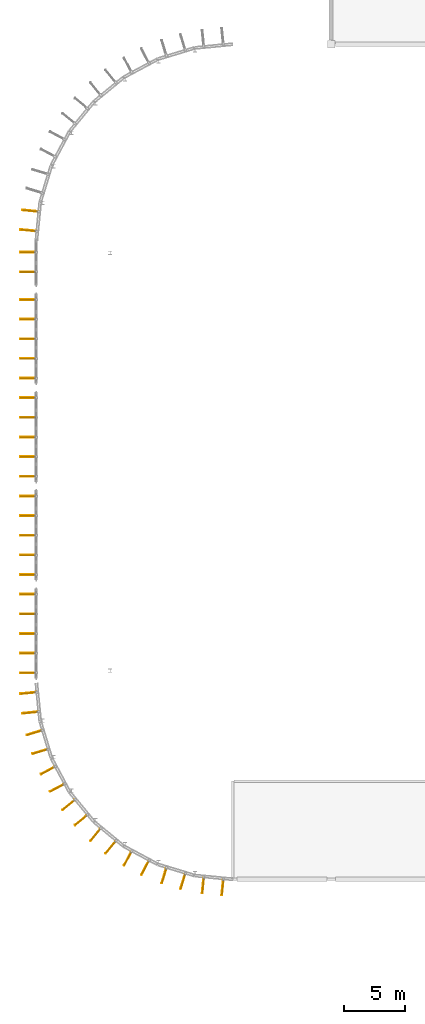
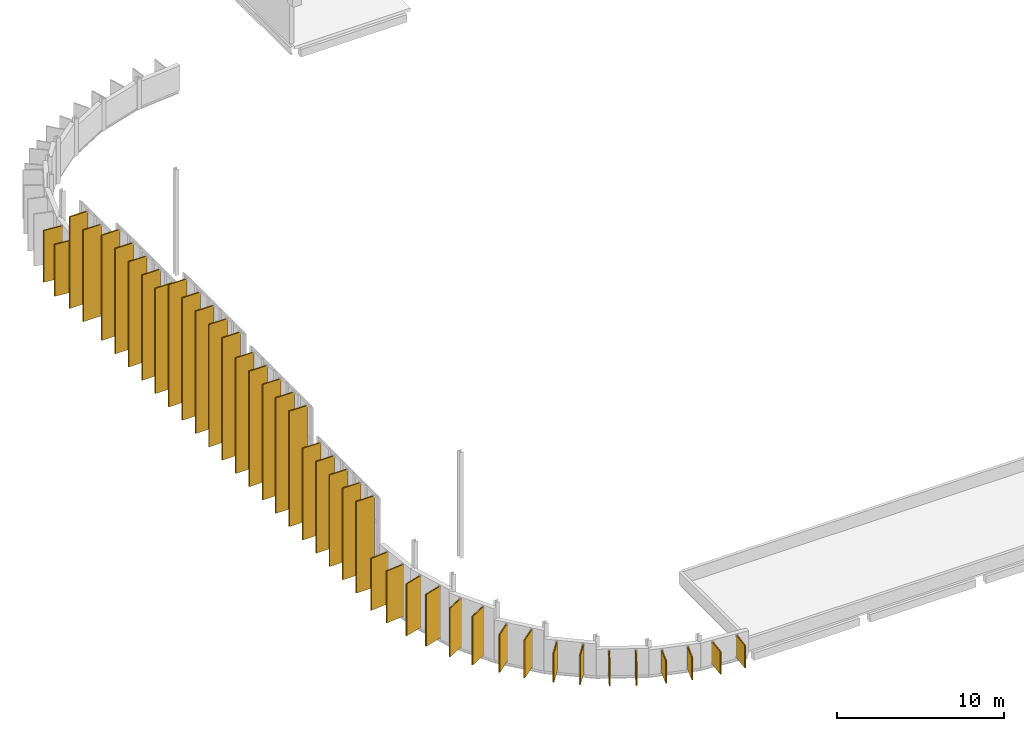
# One storey, part 34 of 38: 40 coverings, 40 shading devices.
"""IFC4 building model written with IfcOpenShell, lengths in metres."""

from ifc_helpers import new_model, si_unit, direction, frame, origin, origin_2d, place, context, subcontext, project, spatial, rectangle, extrude, material, type_object, element, save


model = new_model("IFC4")

# Units and contexts
model_context = context("Model", 3, precision=1e-05, world=origin(), true_north=direction((0.0, 1.0)))
body_context = subcontext(model_context, "Body", "Model", "MODEL_VIEW")
ifc_project = project(units=[si_unit("LENGTHUNIT", "METRE"), si_unit("AREAUNIT", "SQUARE_METRE"), si_unit("VOLUMEUNIT", "CUBIC_METRE"), si_unit("PLANEANGLEUNIT", "RADIAN"), si_unit("MASSUNIT", "GRAM", prefix="KILO")], contexts=[model_context])

# Site, building, storey
site_placement = place(None, origin())
site = spatial("IfcSite", under=ifc_project, at=site_placement, CompositionType="ELEMENT")
building_placement = place(site_placement, origin())
building = spatial("IfcBuilding", under=site, at=building_placement, Name="Drelvana Railside Aquatics Centre", CompositionType="ELEMENT")
storey_placement = place(building_placement, frame((0.0, 0.0, 14.39990234375)))
storey = spatial("IfcBuildingStorey", under=building, at=storey_placement, Name="L03", CompositionType="ELEMENT", Elevation=14.39990234375)

# Coverings
ifc_material = material(Name="Bronze-anodised extruded aluminium 6063-T6", Category="aluminium")
covering_type = type_object("IfcCoveringType", Name="COV-FIN-ALU", PredefinedType="CLADDING", material=ifc_material)
for number, where, z_axis, x_axis, name in (
    (1, (-0.68994140625, 32.800048828125, 0.05029296875), (0.0, 0.0, 1.0), (0.0, 1.0, 0.0), "Vertical aluminium fin cladding CF-0200"),
    (2, (-0.68994140625, 34.39990234375, 0.05029296875), (0.0, 0.0, 1.0), (0.0, 1.0, 0.0), "Vertical aluminium fin cladding CF-0201"),
    (3, (-0.68994140625, 36.0, 0.05029296875), (0.0, 0.0, 1.0), (0.0, 1.0, 0.0), "Vertical aluminium fin cladding CF-0202"),
    (4, (-0.68994140625, 37.60009765625, 0.05029296875), (0.0, 0.0, 1.0), (0.0, 1.0, 0.0), "Vertical aluminium fin cladding CF-0203"),
    (5, (-0.68994140625, 39.199951171875, 0.05029296875), (0.0, 0.0, 1.0), (0.0, 1.0, 0.0), "Vertical aluminium fin cladding CF-0204"),
):
    element("IfcCovering", number, at=place(storey_placement, frame(where, z_axis=z_axis, x_axis=x_axis)), inside=storey, type_object=covering_type, Name=name, PredefinedType="CLADDING", context=body_context, shape_type="SweptSolid", body=[
        extrude(rectangle(XDim=0.0849609375, YDim=1.25, at=origin_2d()), origin(), (0.0, 0.0, 1.0), 6.677978515625),
    ])
for number, where, z_axis, x_axis, name in (
    (6, (-0.68994140625, 40.800048828125, 0.050048828125), (0.0, 0.0, 1.0), (0.0, 1.0, 0.0), "Vertical aluminium fin cladding CF-0220"),
    (7, (-0.68994140625, 42.39990234375, 0.050048828125), (0.0, 0.0, 1.0), (0.0, 1.0, 0.0), "Vertical aluminium fin cladding CF-0221"),
    (8, (-0.68994140625, 44.0, 0.050048828125), (0.0, 0.0, 1.0), (0.0, 1.0, 0.0), "Vertical aluminium fin cladding CF-0222"),
    (9, (-0.68994140625, 45.60009765625, 0.050048828125), (0.0, 0.0, 1.0), (0.0, 1.0, 0.0), "Vertical aluminium fin cladding CF-0223"),
    (10, (-0.68994140625, 47.199951171875, 0.050048828125), (0.0, 0.0, 1.0), (0.0, 1.0, 0.0), "Vertical aluminium fin cladding CF-0224"),
):
    element("IfcCovering", number, at=place(storey_placement, frame(where, z_axis=z_axis, x_axis=x_axis)), inside=storey, type_object=covering_type, Name=name, PredefinedType="CLADDING", context=body_context, shape_type="SweptSolid", body=[
        extrude(rectangle(XDim=0.0849609375, YDim=1.25, at=origin_2d()), origin(), (0.0, 0.0, 1.0), 8.4208984375),
    ])
for number, where, z_axis, x_axis, name in (
    (11, (-0.68994140625, 48.800048828125, 0.050048828125), (0.0, 0.0, 1.0), (0.0, 1.0, 0.0), "Vertical aluminium fin cladding CF-0240"),
    (12, (-0.68994140625, 50.39990234375, 0.050048828125), (0.0, 0.0, 1.0), (0.0, 1.0, 0.0), "Vertical aluminium fin cladding CF-0241"),
    (13, (-0.68994140625, 52.0, 0.050048828125), (0.0, 0.0, 1.0), (0.0, 1.0, 0.0), "Vertical aluminium fin cladding CF-0242"),
    (14, (-0.68994140625, 53.60009765625, 0.050048828125), (0.0, 0.0, 1.0), (0.0, 1.0, 0.0), "Vertical aluminium fin cladding CF-0243"),
    (15, (-0.68994140625, 55.199951171875, 0.050048828125), (0.0, 0.0, 1.0), (0.0, 1.0, 0.0), "Vertical aluminium fin cladding CF-0244"),
):
    element("IfcCovering", number, at=place(storey_placement, frame(where, z_axis=z_axis, x_axis=x_axis)), inside=storey, type_object=covering_type, Name=name, PredefinedType="CLADDING", context=body_context, shape_type="SweptSolid", body=[
        extrude(rectangle(XDim=0.0849609375, YDim=1.25, at=origin_2d()), origin(), (0.0, 0.0, 1.0), 8.919921875),
    ])
for number, where, z_axis, x_axis, name in (
    (16, (-0.68994140625, 56.800048828125, 0.05029296875), (0.0, 0.0, 1.0), (0.0, 1.0, 0.0), "Vertical aluminium fin cladding CF-0260"),
    (17, (-0.68994140625, 58.39990234375, 0.05029296875), (0.0, 0.0, 1.0), (0.0, 1.0, 0.0), "Vertical aluminium fin cladding CF-0261"),
    (18, (-0.68994140625, 60.0, 0.05029296875), (0.0, 0.0, 1.0), (0.0, 1.0, 0.0), "Vertical aluminium fin cladding CF-0262"),
    (19, (-0.68994140625, 61.60009765625, 0.05029296875), (0.0, 0.0, 1.0), (0.0, 1.0, 0.0), "Vertical aluminium fin cladding CF-0263"),
    (20, (-0.68994140625, 63.199951171875, 0.05029296875), (0.0, 0.0, 1.0), (0.0, 1.0, 0.0), "Vertical aluminium fin cladding CF-0264"),
):
    element("IfcCovering", number, at=place(storey_placement, frame(where, z_axis=z_axis, x_axis=x_axis)), inside=storey, type_object=covering_type, Name=name, PredefinedType="CLADDING", context=body_context, shape_type="SweptSolid", body=[
        extrude(rectangle(XDim=0.0849609375, YDim=1.25, at=origin_2d()), origin(), (0.0, 0.0, 1.0), 7.674072265625),
    ])
for number, where, z_axis, x_axis, name in (
    (21, (-0.68994140625, 65.449951171875, 0.05029296875), (0.0, 0.0, 1.0), (0.0, 1.0, 0.0), "Vertical aluminium fin cladding CF-0271"),
    (22, (-0.68994140625, 67.050048828125, 0.05029296875), (0.0, 0.0, 1.0), (0.0, 1.0, 0.0), "Vertical aluminium fin cladding CF-0272"),
):
    element("IfcCovering", number, at=place(storey_placement, frame(where, z_axis=z_axis, x_axis=x_axis)), inside=storey, type_object=covering_type, Name=name, PredefinedType="CLADDING", context=body_context, shape_type="SweptSolid", body=[
        extrude(rectangle(XDim=0.0849609375, YDim=1.25, at=origin_2d()), origin(), (0.0, 0.0, 1.0), 6.677978515625),
    ])
for number, where, z_axis, x_axis, name in (
    (23, (-0.65625, 31.163330078125, -0.19970703125), (0.0, 0.0, 1.0), (-0.09801714033, 0.995184726672, 0.0), "Vertical aluminium fin cladding CF-0279"),
    (24, (-0.499267578125, 29.571044921875, -0.19970703125), (0.0, 0.0, 1.0), (-0.09801714033, 0.995184726672, 0.0), "Vertical aluminium fin cladding CF-0280"),
    (25, (-0.1728515625, 27.929931640625, -0.19970703125), (0.0, 0.0, 1.0), (-0.290284677254, 0.956940335732, 0.0), "Vertical aluminium fin cladding CF-0287"),
    (26, (0.29150390625, 26.39892578125, -0.19970703125), (0.0, 0.0, 1.0), (-0.290284677254, 0.956940335732, 0.0), "Vertical aluminium fin cladding CF-0288"),
):
    element("IfcCovering", number, at=place(storey_placement, frame(where, z_axis=z_axis, x_axis=x_axis)), inside=storey, type_object=covering_type, Name=name, PredefinedType="CLADDING", context=body_context, shape_type="SweptSolid", body=[
        extrude(rectangle(XDim=0.0849609375, YDim=1.25, at=origin_2d()), origin(), (0.0, 0.0, 1.0), 3.780029296875),
    ])
for number, where, z_axis, x_axis, name in (
    (27, (0.931884765625, 24.85302734375, -0.199951171875), (0.0, 0.0, 1.0), (-0.471396736826, 0.881921264348, 0.0), "Vertical aluminium fin cladding CF-0295"),
    (28, (1.68603515625, 23.44189453125, -0.199951171875), (0.0, 0.0, 1.0), (-0.471396736826, 0.881921264348, 0.0), "Vertical aluminium fin cladding CF-0296"),
):
    element("IfcCovering", number, at=place(storey_placement, frame(where, z_axis=z_axis, x_axis=x_axis)), inside=storey, type_object=covering_type, Name=name, PredefinedType="CLADDING", context=body_context, shape_type="SweptSolid", body=[
        extrude(rectangle(XDim=0.0849609375, YDim=1.25, at=origin_2d()), origin(), (0.0, 0.0, 1.0), 3.5439453125),
    ])
for number, where, z_axis, x_axis, name in (
    (29, (2.61572265625, 22.05078125, -0.19970703125), (0.0, 0.0, 1.0), (-0.634393284164, 0.773010453363, 0.0), "Vertical aluminium fin cladding CF-0303"),
    (30, (3.630615234375, 20.81396484375, -0.19970703125), (0.0, 0.0, 1.0), (-0.634393284164, 0.773010453363, 0.0), "Vertical aluminium fin cladding CF-0304"),
):
    element("IfcCovering", number, at=place(storey_placement, frame(where, z_axis=z_axis, x_axis=x_axis)), inside=storey, type_object=covering_type, Name=name, PredefinedType="CLADDING", context=body_context, shape_type="SweptSolid", body=[
        extrude(rectangle(XDim=0.0849609375, YDim=1.25, at=origin_2d()), origin(), (0.0, 0.0, 1.0), 2.759033203125),
    ])
for number, where, z_axis, x_axis, name in (
    (31, (4.81396484375, 19.630615234375, -0.19970703125), (0.0, 0.0, 1.0), (-0.773010453363, 0.634393284164, 0.0), "Vertical aluminium fin cladding CF-0311"),
    (32, (6.05078125, 18.61572265625, -0.19970703125), (0.0, 0.0, 1.0), (-0.773010453363, 0.634393284164, 0.0), "Vertical aluminium fin cladding CF-0312"),
):
    element("IfcCovering", number, at=place(storey_placement, frame(where, z_axis=z_axis, x_axis=x_axis)), inside=storey, type_object=covering_type, Name=name, PredefinedType="CLADDING", context=body_context, shape_type="SweptSolid", body=[
        extrude(rectangle(XDim=0.0849609375, YDim=1.25, at=origin_2d()), origin(), (0.0, 0.0, 1.0), 2.138916015625),
    ])
for number, where, z_axis, x_axis, name in (
    (33, (7.44189453125, 17.68603515625, -0.19970703125), (0.0, 0.0, 1.0), (-0.881921264348, 0.471396736826, 0.0), "Vertical aluminium fin cladding CF-0319"),
    (34, (8.85302734375, 16.931884765625, -0.19970703125), (0.0, 0.0, 1.0), (-0.881921264348, 0.471396736826, 0.0), "Vertical aluminium fin cladding CF-0320"),
):
    element("IfcCovering", number, at=place(storey_placement, frame(where, z_axis=z_axis, x_axis=x_axis)), inside=storey, type_object=covering_type, Name=name, PredefinedType="CLADDING", context=body_context, shape_type="SweptSolid", body=[
        extrude(rectangle(XDim=0.0849609375, YDim=1.25, at=origin_2d()), origin(), (0.0, 0.0, 1.0), 1.741943359375),
    ])
for number, where, z_axis, x_axis, name in (
    (35, (10.39892578125, 16.29150390625, -0.19970703125), (0.0, 0.0, 1.0), (-0.956940335732, 0.290284677254, 0.0), "Vertical aluminium fin cladding CF-0327"),
    (36, (11.929931640625, 15.8271484375, -0.19970703125), (0.0, 0.0, 1.0), (-0.956940335732, 0.290284677254, 0.0), "Vertical aluminium fin cladding CF-0328"),
    (37, (13.571044921875, 15.500732421875, -0.19970703125), (0.0, 0.0, 1.0), (-0.995184726672, 0.09801714033, 0.0), "Vertical aluminium fin cladding CF-0335"),
    (38, (15.163330078125, 15.34375, -0.19970703125), (0.0, 0.0, 1.0), (-0.995184726672, 0.09801714033, 0.0), "Vertical aluminium fin cladding CF-0336"),
):
    element("IfcCovering", number, at=place(storey_placement, frame(where, z_axis=z_axis, x_axis=x_axis)), inside=storey, type_object=covering_type, Name=name, PredefinedType="CLADDING", context=body_context, shape_type="SweptSolid", body=[
        extrude(rectangle(XDim=0.0849609375, YDim=1.25, at=origin_2d()), origin(), (0.0, 0.0, 1.0), 1.614990234375),
    ])
for number, where, z_axis, x_axis, name in (
    (39, (-0.499267578125, 70.428955078125, -0.19970703125), (0.0, 0.0, 1.0), (0.09801714033, 0.995184726672, 0.0), "Vertical aluminium fin cladding CF-0399"),
    (40, (-0.65625, 68.836669921875, -0.19970703125), (0.0, 0.0, 1.0), (0.09801714033, 0.995184726672, 0.0), "Vertical aluminium fin cladding CF-0400"),
):
    element("IfcCovering", number, at=place(storey_placement, frame(where, z_axis=z_axis, x_axis=x_axis)), inside=storey, type_object=covering_type, Name=name, PredefinedType="CLADDING", context=body_context, shape_type="SweptSolid", body=[
        extrude(rectangle(XDim=0.0849609375, YDim=1.25, at=origin_2d()), origin(), (0.0, 0.0, 1.0), 3.780029296875),
    ])

# Shading devices
shading_device_type = type_object("IfcShadingDeviceType", Name="SHD-FIN-1250", PredefinedType="USERDEFINED", material=ifc_material)
for number, where, z_axis, x_axis, name in (
    (41, (-0.7099609375, 32.800048828125, 0.05029296875), (0.0, 0.0, 1.0), (-1.0, 0.0, 0.0), "Vertical bronze shading fin FN-0207"),
    (42, (-0.7099609375, 34.39990234375, 0.05029296875), (0.0, 0.0, 1.0), (-1.0, 0.0, 0.0), "Vertical bronze shading fin FN-0208"),
    (43, (-0.7099609375, 36.0, 0.05029296875), (0.0, 0.0, 1.0), (-1.0, 0.0, 0.0), "Vertical bronze shading fin FN-0209"),
    (44, (-0.7099609375, 37.60009765625, 0.05029296875), (0.0, 0.0, 1.0), (-1.0, 0.0, 0.0), "Vertical bronze shading fin FN-0210"),
    (45, (-0.7099609375, 39.199951171875, 0.05029296875), (0.0, 0.0, 1.0), (-1.0, 0.0, 0.0), "Vertical bronze shading fin FN-0211"),
):
    element("IfcShadingDevice", number, at=place(storey_placement, frame(where, z_axis=z_axis, x_axis=x_axis)), inside=storey, type_object=shading_device_type, Name=name, ObjectType="FIN", PredefinedType="USERDEFINED", context=body_context, shape_type="SweptSolid", body=[
        extrude(rectangle(XDim=1.25, YDim=0.06494140625, at=origin_2d()), origin(), (0.0, 0.0, 1.0), 6.677978515625),
    ])
for number, where, z_axis, x_axis, name in (
    (46, (-0.7099609375, 40.800048828125, 0.050048828125), (0.0, 0.0, 1.0), (-1.0, 0.0, 0.0), "Vertical bronze shading fin FN-0227"),
    (47, (-0.7099609375, 42.39990234375, 0.050048828125), (0.0, 0.0, 1.0), (-1.0, 0.0, 0.0), "Vertical bronze shading fin FN-0228"),
    (48, (-0.7099609375, 44.0, 0.050048828125), (0.0, 0.0, 1.0), (-1.0, 0.0, 0.0), "Vertical bronze shading fin FN-0229"),
    (49, (-0.7099609375, 45.60009765625, 0.050048828125), (0.0, 0.0, 1.0), (-1.0, 0.0, 0.0), "Vertical bronze shading fin FN-0230"),
    (50, (-0.7099609375, 47.199951171875, 0.050048828125), (0.0, 0.0, 1.0), (-1.0, 0.0, 0.0), "Vertical bronze shading fin FN-0231"),
):
    element("IfcShadingDevice", number, at=place(storey_placement, frame(where, z_axis=z_axis, x_axis=x_axis)), inside=storey, type_object=shading_device_type, Name=name, ObjectType="FIN", PredefinedType="USERDEFINED", context=body_context, shape_type="SweptSolid", body=[
        extrude(rectangle(XDim=1.25, YDim=0.06494140625, at=origin_2d()), origin(), (0.0, 0.0, 1.0), 8.4208984375),
    ])
for number, where, z_axis, x_axis, name in (
    (51, (-0.7099609375, 48.800048828125, 0.050048828125), (0.0, 0.0, 1.0), (-1.0, 0.0, 0.0), "Vertical bronze shading fin FN-0247"),
    (52, (-0.7099609375, 50.39990234375, 0.050048828125), (0.0, 0.0, 1.0), (-1.0, 0.0, 0.0), "Vertical bronze shading fin FN-0248"),
    (53, (-0.7099609375, 52.0, 0.050048828125), (0.0, 0.0, 1.0), (-1.0, 0.0, 0.0), "Vertical bronze shading fin FN-0249"),
    (54, (-0.7099609375, 53.60009765625, 0.050048828125), (0.0, 0.0, 1.0), (-1.0, 0.0, 0.0), "Vertical bronze shading fin FN-0250"),
    (55, (-0.7099609375, 55.199951171875, 0.050048828125), (0.0, 0.0, 1.0), (-1.0, 0.0, 0.0), "Vertical bronze shading fin FN-0251"),
):
    element("IfcShadingDevice", number, at=place(storey_placement, frame(where, z_axis=z_axis, x_axis=x_axis)), inside=storey, type_object=shading_device_type, Name=name, ObjectType="FIN", PredefinedType="USERDEFINED", context=body_context, shape_type="SweptSolid", body=[
        extrude(rectangle(XDim=1.25, YDim=0.06494140625, at=origin_2d()), origin(), (0.0, 0.0, 1.0), 8.919921875),
    ])
for number, where, z_axis, x_axis, name in (
    (56, (-0.7099609375, 56.800048828125, 0.05029296875), (0.0, 0.0, 1.0), (-1.0, 0.0, 0.0), "Vertical bronze shading fin FN-0267"),
    (57, (-0.7099609375, 58.39990234375, 0.05029296875), (0.0, 0.0, 1.0), (-1.0, 0.0, 0.0), "Vertical bronze shading fin FN-0268"),
    (58, (-0.7099609375, 60.0, 0.05029296875), (0.0, 0.0, 1.0), (-1.0, 0.0, 0.0), "Vertical bronze shading fin FN-0269"),
    (59, (-0.7099609375, 61.60009765625, 0.05029296875), (0.0, 0.0, 1.0), (-1.0, 0.0, 0.0), "Vertical bronze shading fin FN-0270"),
    (60, (-0.7099609375, 63.199951171875, 0.05029296875), (0.0, 0.0, 1.0), (-1.0, 0.0, 0.0), "Vertical bronze shading fin FN-0271"),
):
    element("IfcShadingDevice", number, at=place(storey_placement, frame(where, z_axis=z_axis, x_axis=x_axis)), inside=storey, type_object=shading_device_type, Name=name, ObjectType="FIN", PredefinedType="USERDEFINED", context=body_context, shape_type="SweptSolid", body=[
        extrude(rectangle(XDim=1.25, YDim=0.06494140625, at=origin_2d()), origin(), (0.0, 0.0, 1.0), 7.674072265625),
    ])
for number, where, z_axis, x_axis, name in (
    (61, (-0.7099609375, 65.449951171875, 0.05029296875), (0.0, 0.0, 1.0), (-1.0, 0.0, 0.0), "Vertical bronze shading fin FN-0278"),
    (62, (-0.7099609375, 67.050048828125, 0.05029296875), (0.0, 0.0, 1.0), (-1.0, 0.0, 0.0), "Vertical bronze shading fin FN-0279"),
):
    element("IfcShadingDevice", number, at=place(storey_placement, frame(where, z_axis=z_axis, x_axis=x_axis)), inside=storey, type_object=shading_device_type, Name=name, ObjectType="FIN", PredefinedType="USERDEFINED", context=body_context, shape_type="SweptSolid", body=[
        extrude(rectangle(XDim=1.25, YDim=0.06494140625, at=origin_2d()), origin(), (0.0, 0.0, 1.0), 6.677978515625),
    ])
for number, where, z_axis, x_axis, name in (
    (63, (-0.676025390625, 31.161376953125, -0.19970703125), (0.0, 0.0, 1.0), (-0.995184726672, -0.09801714033, 0.0), "Vertical bronze shading fin FN-0286"),
    (64, (-0.519287109375, 29.569091796875, -0.19970703125), (0.0, 0.0, 1.0), (-0.995184726672, -0.09801714033, 0.0), "Vertical bronze shading fin FN-0287"),
    (65, (-0.19189453125, 27.92431640625, -0.19970703125), (0.0, 0.0, 1.0), (-0.956940335732, -0.290284677254, 0.0), "Vertical bronze shading fin FN-0294"),
    (66, (0.2724609375, 26.39306640625, -0.19970703125), (0.0, 0.0, 1.0), (-0.956940335732, -0.290284677254, 0.0), "Vertical bronze shading fin FN-0295"),
):
    element("IfcShadingDevice", number, at=place(storey_placement, frame(where, z_axis=z_axis, x_axis=x_axis)), inside=storey, type_object=shading_device_type, Name=name, ObjectType="FIN", PredefinedType="USERDEFINED", context=body_context, shape_type="SweptSolid", body=[
        extrude(rectangle(XDim=1.25, YDim=0.06494140625, at=origin_2d()), origin(), (0.0, 0.0, 1.0), 3.780029296875),
    ])
for number, where, z_axis, x_axis, name in (
    (67, (0.914306640625, 24.843505859375, -0.199951171875), (0.0, 0.0, 1.0), (-0.881921264348, -0.471396736826, 0.0), "Vertical bronze shading fin FN-0302"),
    (68, (1.66845703125, 23.4326171875, -0.199951171875), (0.0, 0.0, 1.0), (-0.881921264348, -0.471396736826, 0.0), "Vertical bronze shading fin FN-0303"),
):
    element("IfcShadingDevice", number, at=place(storey_placement, frame(where, z_axis=z_axis, x_axis=x_axis)), inside=storey, type_object=shading_device_type, Name=name, ObjectType="FIN", PredefinedType="USERDEFINED", context=body_context, shape_type="SweptSolid", body=[
        extrude(rectangle(XDim=1.25, YDim=0.06494140625, at=origin_2d()), origin(), (0.0, 0.0, 1.0), 3.5439453125),
    ])
for number, where, z_axis, x_axis, name in (
    (69, (2.600341796875, 22.0380859375, -0.19970703125), (0.0, 0.0, 1.0), (-0.773010453363, -0.634393284164, 0.0), "Vertical bronze shading fin FN-0310"),
    (70, (3.615234375, 20.80126953125, -0.19970703125), (0.0, 0.0, 1.0), (-0.773010453363, -0.634393284164, 0.0), "Vertical bronze shading fin FN-0311"),
):
    element("IfcShadingDevice", number, at=place(storey_placement, frame(where, z_axis=z_axis, x_axis=x_axis)), inside=storey, type_object=shading_device_type, Name=name, ObjectType="FIN", PredefinedType="USERDEFINED", context=body_context, shape_type="SweptSolid", body=[
        extrude(rectangle(XDim=1.25, YDim=0.06494140625, at=origin_2d()), origin(), (0.0, 0.0, 1.0), 2.759033203125),
    ])
for number, where, z_axis, x_axis, name in (
    (71, (4.80126953125, 19.615234375, -0.19970703125), (0.0, 0.0, 1.0), (-0.634393284164, -0.773010453363, 0.0), "Vertical bronze shading fin FN-0318"),
    (72, (6.0380859375, 18.600341796875, -0.19970703125), (0.0, 0.0, 1.0), (-0.634393284164, -0.773010453363, 0.0), "Vertical bronze shading fin FN-0319"),
):
    element("IfcShadingDevice", number, at=place(storey_placement, frame(where, z_axis=z_axis, x_axis=x_axis)), inside=storey, type_object=shading_device_type, Name=name, ObjectType="FIN", PredefinedType="USERDEFINED", context=body_context, shape_type="SweptSolid", body=[
        extrude(rectangle(XDim=1.25, YDim=0.06494140625, at=origin_2d()), origin(), (0.0, 0.0, 1.0), 2.138916015625),
    ])
for number, where, z_axis, x_axis, name in (
    (73, (7.4326171875, 17.66845703125, -0.19970703125), (0.0, 0.0, 1.0), (-0.471396736826, -0.881921264348, 0.0), "Vertical bronze shading fin FN-0326"),
    (74, (8.843505859375, 16.914306640625, -0.19970703125), (0.0, 0.0, 1.0), (-0.471396736826, -0.881921264348, 0.0), "Vertical bronze shading fin FN-0327"),
):
    element("IfcShadingDevice", number, at=place(storey_placement, frame(where, z_axis=z_axis, x_axis=x_axis)), inside=storey, type_object=shading_device_type, Name=name, ObjectType="FIN", PredefinedType="USERDEFINED", context=body_context, shape_type="SweptSolid", body=[
        extrude(rectangle(XDim=1.25, YDim=0.06494140625, at=origin_2d()), origin(), (0.0, 0.0, 1.0), 1.741943359375),
    ])
for number, where, z_axis, x_axis, name in (
    (75, (10.39306640625, 16.2724609375, -0.19970703125), (0.0, 0.0, 1.0), (-0.290284677254, -0.956940335732, 0.0), "Vertical bronze shading fin FN-0334"),
    (76, (11.92431640625, 15.80810546875, -0.19970703125), (0.0, 0.0, 1.0), (-0.290284677254, -0.956940335732, 0.0), "Vertical bronze shading fin FN-0335"),
    (77, (13.569091796875, 15.480712890625, -0.19970703125), (0.0, 0.0, 1.0), (-0.09801714033, -0.995184726672, 0.0), "Vertical bronze shading fin FN-0342"),
    (78, (15.161376953125, 15.323974609375, -0.19970703125), (0.0, 0.0, 1.0), (-0.09801714033, -0.995184726672, 0.0), "Vertical bronze shading fin FN-0343"),
):
    element("IfcShadingDevice", number, at=place(storey_placement, frame(where, z_axis=z_axis, x_axis=x_axis)), inside=storey, type_object=shading_device_type, Name=name, ObjectType="FIN", PredefinedType="USERDEFINED", context=body_context, shape_type="SweptSolid", body=[
        extrude(rectangle(XDim=1.25, YDim=0.06494140625, at=origin_2d()), origin(), (0.0, 0.0, 1.0), 1.614990234375),
    ])
for number, where, z_axis, x_axis, name in (
    (79, (-0.519287109375, 70.430908203125, -0.19970703125), (0.0, 0.0, 1.0), (-0.995184726672, 0.09801714033, 0.0), "Vertical bronze shading fin FN-0406"),
    (80, (-0.676025390625, 68.838623046875, -0.19970703125), (0.0, 0.0, 1.0), (-0.995184726672, 0.09801714033, 0.0), "Vertical bronze shading fin FN-0407"),
):
    element("IfcShadingDevice", number, at=place(storey_placement, frame(where, z_axis=z_axis, x_axis=x_axis)), inside=storey, type_object=shading_device_type, Name=name, ObjectType="FIN", PredefinedType="USERDEFINED", context=body_context, shape_type="SweptSolid", body=[
        extrude(rectangle(XDim=1.25, YDim=0.06494140625, at=origin_2d()), origin(), (0.0, 0.0, 1.0), 3.780029296875),
    ])

save(model, "model.ifc")
